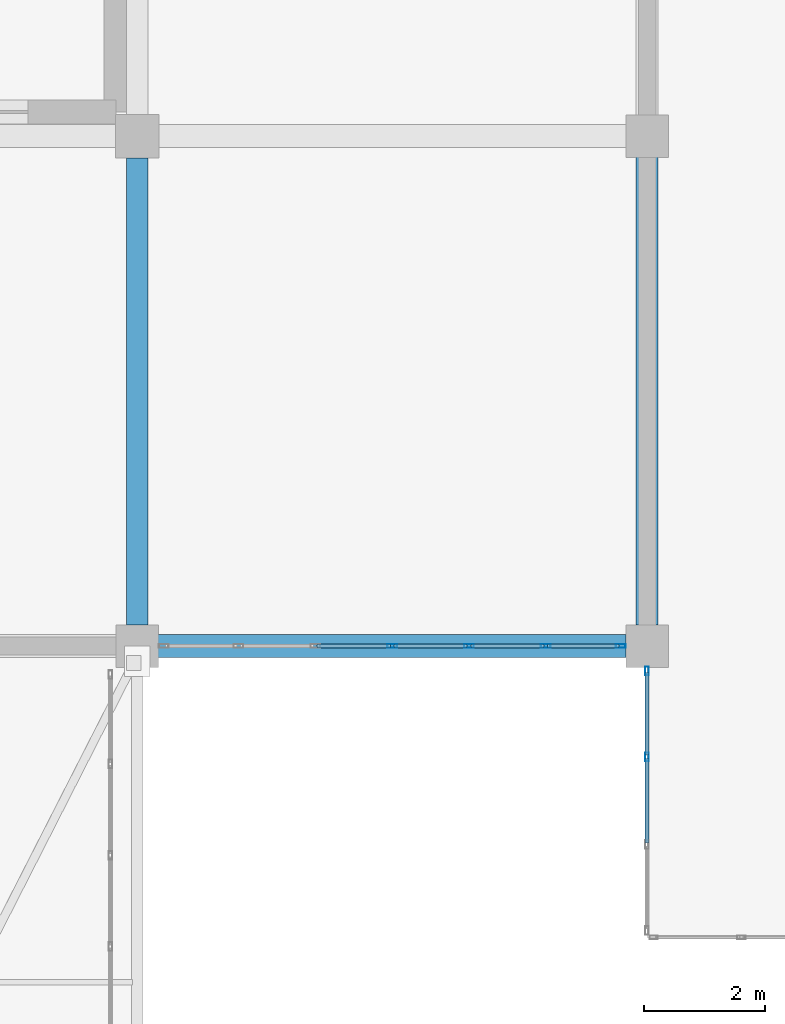
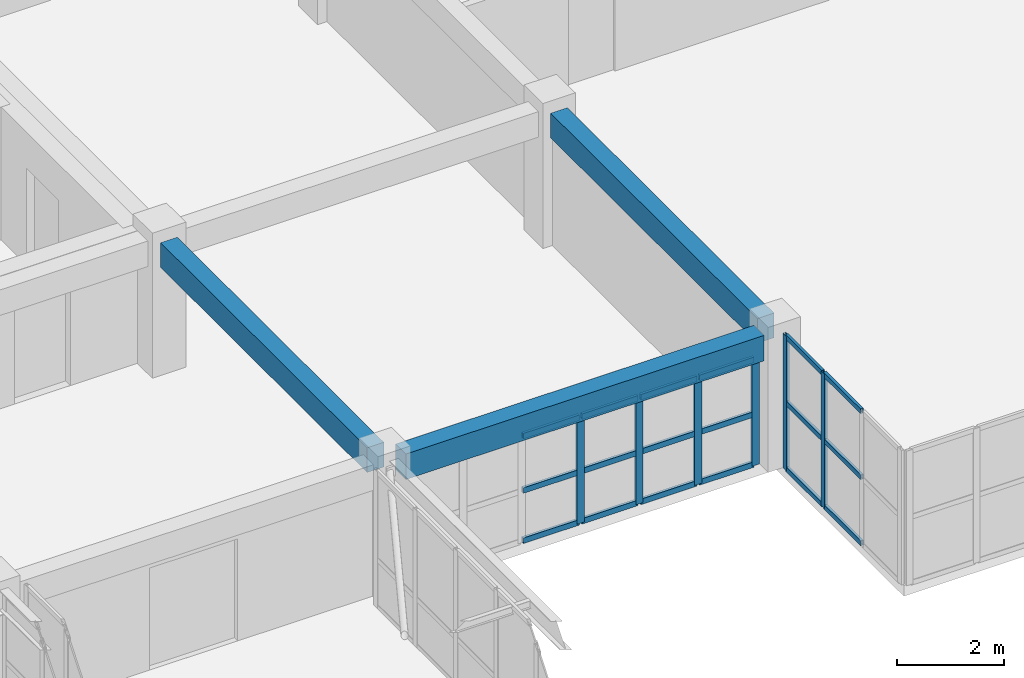
# One storey, part 42 of 148: 24 members, 3 beams, 2 elements without a shape of their own.
"""IFC4 building model written with IfcOpenShell, lengths in metres."""

from ifc_helpers import new_model, si_unit, direction, frame, origin, origin_2d, place, context, subcontext, project, spatial, rectangle, hollow_rectangle, extrude, material, layer, layer_set, material_profile, profile_set, type_object, element, aggregate, save


model = new_model("IFC4")

# Units and contexts
model_context = context("Model", 3, precision=1e-05, world=origin(), true_north=direction((0.0, 1.0)))
body_context = subcontext(model_context, "Body", "Model", "MODEL_VIEW")
ifc_project = project(units=[si_unit("LENGTHUNIT", "METRE"), si_unit("AREAUNIT", "SQUARE_METRE"), si_unit("VOLUMEUNIT", "CUBIC_METRE"), si_unit("PLANEANGLEUNIT", "RADIAN"), si_unit("MASSUNIT", "GRAM", prefix="KILO")], contexts=[model_context])

# Site, building, storey
site_placement = place(None, origin())
site = spatial("IfcSite", under=ifc_project, at=site_placement, CompositionType="ELEMENT")
building_placement = place(site_placement, origin())
building = spatial("IfcBuilding", under=site, at=building_placement, Name="Trelvath General Hospital", CompositionType="ELEMENT")
storey_placement = place(building_placement, frame((0.0, 0.0, 12.89990234375)))
storey = spatial("IfcBuildingStorey", under=building, at=storey_placement, Name="L03", CompositionType="ELEMENT", Elevation=12.89990234375)

# Beams
ifc_material_1 = material(Name="Concrete C35/45", Category="concrete")
ifc_material_profile_1 = material_profile(ifc_material_1, rectangle(XDim=0.360107421875, YDim=0.56005859375, at=origin_2d()), Name="RCB360x560")
ifc_profile_set_1 = profile_set([ifc_material_profile_1], Name="Concrete C35/45")
beam_type_1 = type_object("IfcBeamType", Name="Beam RC360x560", PredefinedType="BEAM", material=ifc_profile_set_1)
beam_1_placement = place(storey_placement, frame((84.0, 42.344970703125, 2.739990234375), z_axis=(0.0, 1.0, 0.0), x_axis=(-1.0, 0.0, 0.0)))
element("IfcBeam", 1, at=beam_1_placement, inside=storey, type_object=beam_type_1, Name="Grid Beam BY-310F", PredefinedType="BEAM", context=body_context, shape_type="SweptSolid", body=[
    extrude(rectangle(XDim=0.360107421875, YDim=0.56005859375, at=origin_2d()), origin(), (0.0, 0.0, 1.0), 7.699951171875),
])
beam_2_placement = place(storey_placement, frame((92.39990234375, 42.344970703125, 2.739990234375), z_axis=(0.0, 1.0, 0.0), x_axis=(-1.0, 0.0, 0.0)))
element("IfcBeam", 2, at=beam_2_placement, inside=storey, type_object=beam_type_1, Name="Grid Beam BY-311F", PredefinedType="BEAM", context=body_context, shape_type="SweptSolid", body=[
    extrude(rectangle(XDim=0.360107421875, YDim=0.56005859375, at=origin_2d()), origin(), (0.0, 0.0, 1.0), 7.7099609375),
])
ifc_material_2 = material(Name="Concrete C35/45", Category="concrete")
ifc_material_profile_2 = material_profile(ifc_material_2, rectangle(XDim=0.3798828125, YDim=0.580078125, at=origin_2d()), Name="RCB380x580")
ifc_profile_set_2 = profile_set([ifc_material_profile_2], Name="Concrete C35/45")
beam_type_2 = type_object("IfcBeamType", Name="Beam RC380x580", PredefinedType="BEAM", material=ifc_profile_set_2)
beam_3_placement = place(storey_placement, frame((84.344970703125, 42.0, 2.72998046875), z_axis=(1.0, 0.0, 0.0), x_axis=(0.0, 1.0, 0.0)))
element("IfcBeam", 3, at=beam_3_placement, inside=storey, type_object=beam_type_2, Name="Grid Beam BX-310F", PredefinedType="BEAM", context=body_context, shape_type="SweptSolid", body=[
    extrude(rectangle(XDim=0.3798828125, YDim=0.580078125, at=origin_2d()), origin(), (0.0, 0.0, 1.0), 7.7099609375),
])

# Curtain wall, members
ifc_material_3 = material(Name="Anodised aluminium and low-E glass", Category="aluminium")
ifc_layer_1 = layer(ifc_material_3, 0.14990234375)
ifc_layer_set_1 = layer_set([ifc_layer_1], Name="Anodised aluminium and low-E glass")
curtain_wall_type_1 = type_object("IfcCurtainWallType", Name="CW CrystalCube 434 306 15", PredefinedType="USERDEFINED", material=ifc_layer_set_1)
curtain_wall_1_placement = place(storey_placement, origin())
curtain_wall_1 = element("IfcCurtainWall", 4, at=curtain_wall_1_placement, inside=storey, type_object=curtain_wall_type_1, Name="Crystal Cube Curtain Wall CUBE-E-T1 W1 L03", ObjectType="Unitised Glazed Curtain Wall", PredefinedType="USERDEFINED")
ifc_material_4 = material(Name="Anodised aluminium", Category="aluminium")
ifc_material_profile_3 = material_profile(ifc_material_4, hollow_rectangle(XDim=0.06005859375, YDim=0.139892578125, WallThickness=0.00390625, at=origin_2d()), Name="RHS60x140x4")
ifc_profile_set_3 = profile_set([ifc_material_profile_3], Name="Anodised aluminium")
member_type_1 = type_object("IfcMemberType", Name="CurtainMullion 60x140", PredefinedType="MULLION", material=ifc_profile_set_3)
member_1_placement = place(storey_placement, frame((92.39990234375, 40.17333984375, 0.0), z_axis=(0.0, 0.0, 1.0), x_axis=(-1.0, 0.0, 0.0)))
member_1 = element("IfcMember", 5, at=member_1_placement, type_object=member_type_1, Name="CW-251 mullion 3", PredefinedType="MULLION", context=body_context, shape_type="SweptSolid", body=[
    extrude(hollow_rectangle(XDim=0.06005859375, YDim=0.139892578125, WallThickness=0.00390625, at=origin_2d()), origin(), (0.0, 0.0, 1.0), 3.06005859375),
])
member_2_placement = place(storey_placement, frame((92.39990234375, 41.590087890625, 0.0), z_axis=(0.0, 0.0, 1.0), x_axis=(-1.0, 0.0, 0.0)))
member_2 = element("IfcMember", 6, at=member_2_placement, type_object=member_type_1, Name="CW-251 mullion 4", PredefinedType="MULLION", context=body_context, shape_type="SweptSolid", body=[
    extrude(hollow_rectangle(XDim=0.06005859375, YDim=0.139892578125, WallThickness=0.00390625, at=origin_2d()), origin(), (0.0, 0.0, 1.0), 3.06005859375),
])

ifc_material_5 = material(Name="Anodised aluminium and low-E glass", Category="aluminium")
ifc_layer_2 = layer(ifc_material_5, 0.159912109375)
ifc_layer_set_2 = layer_set([ifc_layer_2], Name="Anodised aluminium and low-E glass")
curtain_wall_type_2 = type_object("IfcCurtainWallType", Name="CW Facade 759 244 16", PredefinedType="USERDEFINED", material=ifc_layer_set_2)
curtain_wall_2_placement = place(storey_placement, origin())
curtain_wall_2 = element("IfcCurtainWall", 7, at=curtain_wall_2_placement, inside=storey, type_object=curtain_wall_type_2, Name="Facade Curtain Wall CW-058", ObjectType="Unitised Glazed Curtain Wall", PredefinedType="USERDEFINED")
ifc_material_6 = material(Name="Anodised aluminium", Category="aluminium")
ifc_material_profile_4 = material_profile(ifc_material_6, hollow_rectangle(XDim=0.06005859375, YDim=0.159912109375, WallThickness=0.00390625, at=origin_2d()), Name="RHS60x160x4")
ifc_profile_set_4 = profile_set([ifc_material_profile_4], Name="Anodised aluminium")
member_type_2 = type_object("IfcMemberType", Name="CurtainMullion 60x160", PredefinedType="MULLION", material=ifc_profile_set_4)
member_3_placement = place(storey_placement, frame((91.965087890625, 42.0, 0.0), z_axis=(0.0, 0.0, 1.0), x_axis=(0.0, -1.0, 0.0)))
member_3 = element("IfcMember", 8, at=member_3_placement, type_object=member_type_2, Name="CW-058 mullion 1", PredefinedType="MULLION", context=body_context, shape_type="SweptSolid", body=[
    extrude(hollow_rectangle(XDim=0.06005859375, YDim=0.159912109375, WallThickness=0.00390625, at=origin_2d()), origin(), (0.0, 0.0, 1.0), 2.440185546875),
])
member_4_placement = place(storey_placement, frame((90.72998046875, 42.0, 0.0), z_axis=(0.0, 0.0, 1.0), x_axis=(0.0, -1.0, 0.0)))
member_4 = element("IfcMember", 9, at=member_4_placement, type_object=member_type_2, Name="CW-058 mullion 2", PredefinedType="MULLION", context=body_context, shape_type="SweptSolid", body=[
    extrude(hollow_rectangle(XDim=0.06005859375, YDim=0.159912109375, WallThickness=0.00390625, at=origin_2d()), origin(), (0.0, 0.0, 1.0), 2.440185546875),
])
member_5_placement = place(storey_placement, frame((89.465087890625, 42.0, 0.0), z_axis=(0.0, 0.0, 1.0), x_axis=(0.0, -1.0, 0.0)))
member_5 = element("IfcMember", 10, at=member_5_placement, type_object=member_type_2, Name="CW-058 mullion 3", PredefinedType="MULLION", context=body_context, shape_type="SweptSolid", body=[
    extrude(hollow_rectangle(XDim=0.06005859375, YDim=0.159912109375, WallThickness=0.00390625, at=origin_2d()), origin(), (0.0, 0.0, 1.0), 2.440185546875),
])
member_6_placement = place(storey_placement, frame((88.199951171875, 42.0, 0.0), z_axis=(0.0, 0.0, 1.0), x_axis=(0.0, -1.0, 0.0)))
member_6 = element("IfcMember", 11, at=member_6_placement, type_object=member_type_2, Name="CW-058 mullion 4", PredefinedType="MULLION", context=body_context, shape_type="SweptSolid", body=[
    extrude(hollow_rectangle(XDim=0.06005859375, YDim=0.159912109375, WallThickness=0.00390625, at=origin_2d()), origin(), (0.0, 0.0, 1.0), 2.440185546875),
])

# Member
ifc_material_7 = material(Name="Anodised aluminium", Category="aluminium")
ifc_material_profile_5 = material_profile(ifc_material_7, hollow_rectangle(XDim=0.06005859375, YDim=0.110107421875, WallThickness=0.00390625, at=origin_2d()), Name="RHS60x110x4")
ifc_profile_set_5 = profile_set([ifc_material_profile_5], Name="Anodised aluminium")
member_type_3 = type_object("IfcMemberType", Name="CurtainTransom 60x110", PredefinedType="USERDEFINED", material=ifc_profile_set_5)
member_7_placement = place(storey_placement, frame((92.39990234375, 38.756591796875, 0.030029296875), z_axis=(0.0, 1.0, 0.0), x_axis=(-1.0, 0.0, 0.0)))
member_7 = element("IfcMember", 12, at=member_7_placement, type_object=member_type_3, Name="CW-251 transom 2.1", ObjectType="TRANSOM", PredefinedType="USERDEFINED", context=body_context, shape_type="SweptSolid", body=[
    extrude(hollow_rectangle(XDim=0.06005859375, YDim=0.110107421875, WallThickness=0.00390625, at=origin_2d()), origin(), (0.0, 0.0, 1.0), 1.38671875),
])

member_8_placement = place(storey_placement, frame((92.39990234375, 38.756591796875, 1.530029296875), z_axis=(0.0, 1.0, 0.0), x_axis=(-1.0, 0.0, 0.0)))
member_8 = element("IfcMember", 13, at=member_8_placement, type_object=member_type_3, Name="CW-251 transom 2.2", ObjectType="TRANSOM", PredefinedType="USERDEFINED", context=body_context, shape_type="SweptSolid", body=[
    extrude(hollow_rectangle(XDim=0.06005859375, YDim=0.110107421875, WallThickness=0.00390625, at=origin_2d()), origin(), (0.0, 0.0, 1.0), 1.38671875),
])

member_9_placement = place(storey_placement, frame((92.39990234375, 38.756591796875, 3.030029296875), z_axis=(0.0, 1.0, 0.0), x_axis=(-1.0, 0.0, 0.0)))
member_9 = element("IfcMember", 14, at=member_9_placement, type_object=member_type_3, Name="CW-251 transom 2.3", ObjectType="TRANSOM", PredefinedType="USERDEFINED", context=body_context, shape_type="SweptSolid", body=[
    extrude(hollow_rectangle(XDim=0.06005859375, YDim=0.110107421875, WallThickness=0.00390625, at=origin_2d()), origin(), (0.0, 0.0, 1.0), 1.38671875),
])

member_10_placement = place(storey_placement, frame((92.39990234375, 40.203369140625, 0.030029296875), z_axis=(0.0, 1.0, 0.0), x_axis=(-1.0, 0.0, 0.0)))
member_10 = element("IfcMember", 15, at=member_10_placement, type_object=member_type_3, Name="CW-251 transom 3.1", ObjectType="TRANSOM", PredefinedType="USERDEFINED", context=body_context, shape_type="SweptSolid", body=[
    extrude(hollow_rectangle(XDim=0.06005859375, YDim=0.110107421875, WallThickness=0.00390625, at=origin_2d()), origin(), (0.0, 0.0, 1.0), 1.356689453125),
])

member_11_placement = place(storey_placement, frame((92.39990234375, 40.203369140625, 1.530029296875), z_axis=(0.0, 1.0, 0.0), x_axis=(-1.0, 0.0, 0.0)))
member_11 = element("IfcMember", 16, at=member_11_placement, type_object=member_type_3, Name="CW-251 transom 3.2", ObjectType="TRANSOM", PredefinedType="USERDEFINED", context=body_context, shape_type="SweptSolid", body=[
    extrude(hollow_rectangle(XDim=0.06005859375, YDim=0.110107421875, WallThickness=0.00390625, at=origin_2d()), origin(), (0.0, 0.0, 1.0), 1.356689453125),
])

member_12_placement = place(storey_placement, frame((92.39990234375, 40.203369140625, 3.030029296875), z_axis=(0.0, 1.0, 0.0), x_axis=(-1.0, 0.0, 0.0)))
member_12 = element("IfcMember", 17, at=member_12_placement, type_object=member_type_3, Name="CW-251 transom 3.3", ObjectType="TRANSOM", PredefinedType="USERDEFINED", context=body_context, shape_type="SweptSolid", body=[
    extrude(hollow_rectangle(XDim=0.06005859375, YDim=0.110107421875, WallThickness=0.00390625, at=origin_2d()), origin(), (0.0, 0.0, 1.0), 1.356689453125),
])

aggregate(curtain_wall_1, [member_1, member_2, member_7, member_8, member_9, member_10, member_11, member_12])

ifc_material_8 = material(Name="Anodised aluminium", Category="aluminium")
ifc_material_profile_6 = material_profile(ifc_material_8, hollow_rectangle(XDim=0.06005859375, YDim=0.125, WallThickness=0.00390625, at=origin_2d()), Name="RHS60x125x4")
ifc_profile_set_6 = profile_set([ifc_material_profile_6], Name="Anodised aluminium")
member_type_4 = type_object("IfcMemberType", Name="CurtainTransom 60x125", PredefinedType="USERDEFINED", material=ifc_profile_set_6)
member_13_placement = place(storey_placement, frame((91.93505859375, 42.0, 0.030029296875), z_axis=(-1.0, 0.0, 0.0), x_axis=(0.0, -1.0, 0.0)))
member_13 = element("IfcMember", 18, at=member_13_placement, type_object=member_type_4, Name="CW-058 transom 1.1", ObjectType="TRANSOM", PredefinedType="USERDEFINED", context=body_context, shape_type="SweptSolid", body=[
    extrude(hollow_rectangle(XDim=0.06005859375, YDim=0.125, WallThickness=0.00390625, at=origin_2d()), origin(), (0.0, 0.0, 1.0), 1.175048828125),
])

member_14_placement = place(storey_placement, frame((91.93505859375, 42.0, 1.171142578125), z_axis=(-1.0, 0.0, 0.0), x_axis=(0.0, -1.0, 0.0)))
member_14 = element("IfcMember", 19, at=member_14_placement, type_object=member_type_4, Name="CW-058 transom 1.2", ObjectType="TRANSOM", PredefinedType="USERDEFINED", context=body_context, shape_type="SweptSolid", body=[
    extrude(hollow_rectangle(XDim=0.06005859375, YDim=0.125, WallThickness=0.00390625, at=origin_2d()), origin(), (0.0, 0.0, 1.0), 1.175048828125),
])

member_15_placement = place(storey_placement, frame((91.93505859375, 42.0, 2.41015625), z_axis=(-1.0, 0.0, 0.0), x_axis=(0.0, -1.0, 0.0)))
member_15 = element("IfcMember", 20, at=member_15_placement, type_object=member_type_4, Name="CW-058 transom 1.3", ObjectType="TRANSOM", PredefinedType="USERDEFINED", context=body_context, shape_type="SweptSolid", body=[
    extrude(hollow_rectangle(XDim=0.06005859375, YDim=0.125, WallThickness=0.00390625, at=origin_2d()), origin(), (0.0, 0.0, 1.0), 1.175048828125),
])

member_16_placement = place(storey_placement, frame((90.699951171875, 42.0, 0.030029296875), z_axis=(-1.0, 0.0, 0.0), x_axis=(0.0, -1.0, 0.0)))
member_16 = element("IfcMember", 21, at=member_16_placement, type_object=member_type_4, Name="CW-058 transom 2.1", ObjectType="TRANSOM", PredefinedType="USERDEFINED", context=body_context, shape_type="SweptSolid", body=[
    extrude(hollow_rectangle(XDim=0.06005859375, YDim=0.125, WallThickness=0.00390625, at=origin_2d()), origin(), (0.0, 0.0, 1.0), 1.204833984375),
])

member_17_placement = place(storey_placement, frame((90.699951171875, 42.0, 1.171142578125), z_axis=(-1.0, 0.0, 0.0), x_axis=(0.0, -1.0, 0.0)))
member_17 = element("IfcMember", 22, at=member_17_placement, type_object=member_type_4, Name="CW-058 transom 2.2", ObjectType="TRANSOM", PredefinedType="USERDEFINED", context=body_context, shape_type="SweptSolid", body=[
    extrude(hollow_rectangle(XDim=0.06005859375, YDim=0.125, WallThickness=0.00390625, at=origin_2d()), origin(), (0.0, 0.0, 1.0), 1.204833984375),
])

member_18_placement = place(storey_placement, frame((90.699951171875, 42.0, 2.41015625), z_axis=(-1.0, 0.0, 0.0), x_axis=(0.0, -1.0, 0.0)))
member_18 = element("IfcMember", 23, at=member_18_placement, type_object=member_type_4, Name="CW-058 transom 2.3", ObjectType="TRANSOM", PredefinedType="USERDEFINED", context=body_context, shape_type="SweptSolid", body=[
    extrude(hollow_rectangle(XDim=0.06005859375, YDim=0.125, WallThickness=0.00390625, at=origin_2d()), origin(), (0.0, 0.0, 1.0), 1.204833984375),
])

member_19_placement = place(storey_placement, frame((89.43505859375, 42.0, 0.030029296875), z_axis=(-1.0, 0.0, 0.0), x_axis=(0.0, -1.0, 0.0)))
member_19 = element("IfcMember", 24, at=member_19_placement, type_object=member_type_4, Name="CW-058 transom 3.1", ObjectType="TRANSOM", PredefinedType="USERDEFINED", context=body_context, shape_type="SweptSolid", body=[
    extrude(hollow_rectangle(XDim=0.06005859375, YDim=0.125, WallThickness=0.00390625, at=origin_2d()), origin(), (0.0, 0.0, 1.0), 1.205078125),
])

member_20_placement = place(storey_placement, frame((89.43505859375, 42.0, 1.171142578125), z_axis=(-1.0, 0.0, 0.0), x_axis=(0.0, -1.0, 0.0)))
member_20 = element("IfcMember", 25, at=member_20_placement, type_object=member_type_4, Name="CW-058 transom 3.2", ObjectType="TRANSOM", PredefinedType="USERDEFINED", context=body_context, shape_type="SweptSolid", body=[
    extrude(hollow_rectangle(XDim=0.06005859375, YDim=0.125, WallThickness=0.00390625, at=origin_2d()), origin(), (0.0, 0.0, 1.0), 1.205078125),
])

member_21_placement = place(storey_placement, frame((89.43505859375, 42.0, 2.41015625), z_axis=(-1.0, 0.0, 0.0), x_axis=(0.0, -1.0, 0.0)))
member_21 = element("IfcMember", 26, at=member_21_placement, type_object=member_type_4, Name="CW-058 transom 3.3", ObjectType="TRANSOM", PredefinedType="USERDEFINED", context=body_context, shape_type="SweptSolid", body=[
    extrude(hollow_rectangle(XDim=0.06005859375, YDim=0.125, WallThickness=0.00390625, at=origin_2d()), origin(), (0.0, 0.0, 1.0), 1.205078125),
])

member_22_placement = place(storey_placement, frame((88.169921875, 42.0, 0.030029296875), z_axis=(-1.0, 0.0, 0.0), x_axis=(0.0, -1.0, 0.0)))
member_22 = element("IfcMember", 27, at=member_22_placement, type_object=member_type_4, Name="CW-058 transom 4.1", ObjectType="TRANSOM", PredefinedType="USERDEFINED", context=body_context, shape_type="SweptSolid", body=[
    extrude(hollow_rectangle(XDim=0.06005859375, YDim=0.125, WallThickness=0.00390625, at=origin_2d()), origin(), (0.0, 0.0, 1.0), 1.204833984375),
])

member_23_placement = place(storey_placement, frame((88.169921875, 42.0, 1.171142578125), z_axis=(-1.0, 0.0, 0.0), x_axis=(0.0, -1.0, 0.0)))
member_23 = element("IfcMember", 28, at=member_23_placement, type_object=member_type_4, Name="CW-058 transom 4.2", ObjectType="TRANSOM", PredefinedType="USERDEFINED", context=body_context, shape_type="SweptSolid", body=[
    extrude(hollow_rectangle(XDim=0.06005859375, YDim=0.125, WallThickness=0.00390625, at=origin_2d()), origin(), (0.0, 0.0, 1.0), 1.204833984375),
])

member_24_placement = place(storey_placement, frame((88.169921875, 42.0, 2.41015625), z_axis=(-1.0, 0.0, 0.0), x_axis=(0.0, -1.0, 0.0)))
member_24 = element("IfcMember", 29, at=member_24_placement, type_object=member_type_4, Name="CW-058 transom 4.3", ObjectType="TRANSOM", PredefinedType="USERDEFINED", context=body_context, shape_type="SweptSolid", body=[
    extrude(hollow_rectangle(XDim=0.06005859375, YDim=0.125, WallThickness=0.00390625, at=origin_2d()), origin(), (0.0, 0.0, 1.0), 1.204833984375),
])

aggregate(curtain_wall_2, [member_3, member_4, member_5, member_6, member_13, member_14, member_15, member_16, member_17, member_18, member_19, member_20, member_21, member_22, member_23, member_24])

save(model, "model.ifc")
